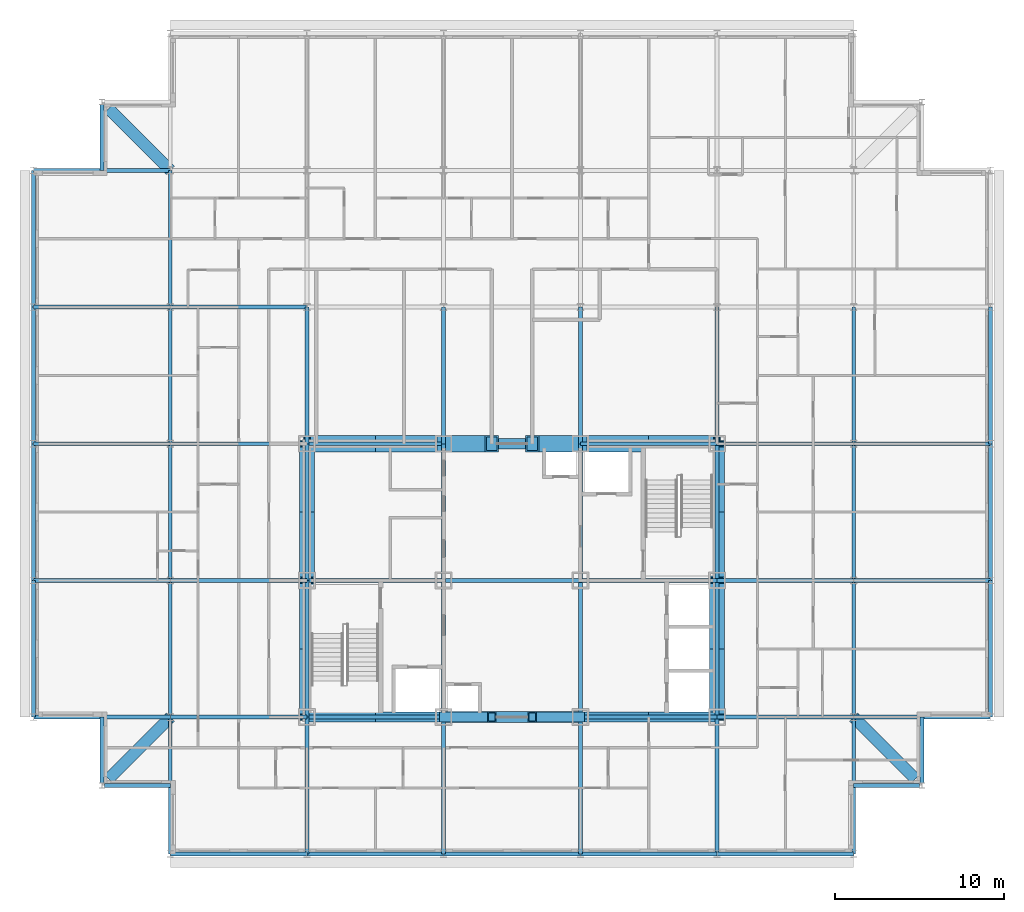
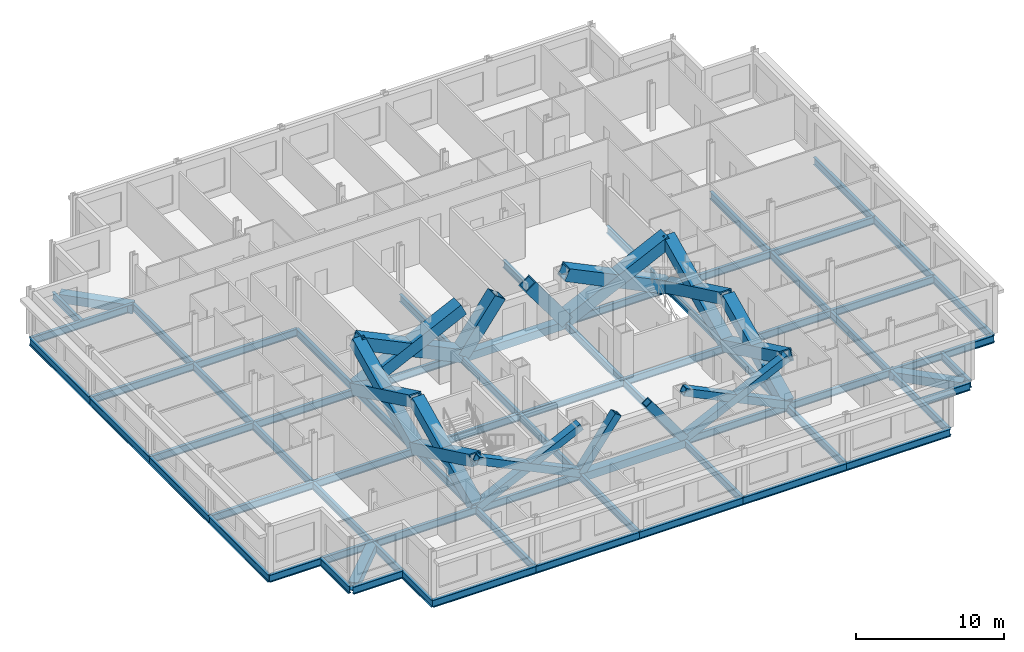
# One storey, part 5 of 15: 69 beams, 20 members.
"""IFC4 building model written with IfcOpenShell, lengths in metres."""

from ifc_helpers import new_model, si_unit, direction, frame, origin, origin_2d, place, context, subcontext, project, spatial, hollow_rectangle, i_section, extrude, material, material_profile, profile_set, type_object, element, save


model = new_model("IFC4")

# Units and contexts
model_context = context("Model", 3, precision=1e-05, world=origin(), true_north=direction((0.0, 1.0)))
body_context = subcontext(model_context, "Body", "Model", "MODEL_VIEW")
ifc_project = project(units=[si_unit("LENGTHUNIT", "METRE"), si_unit("AREAUNIT", "SQUARE_METRE"), si_unit("VOLUMEUNIT", "CUBIC_METRE"), si_unit("PLANEANGLEUNIT", "RADIAN"), si_unit("MASSUNIT", "GRAM", prefix="KILO")], contexts=[model_context])

# Site, building, storey
site_placement = place(None, origin())
site = spatial("IfcSite", under=ifc_project, at=site_placement, CompositionType="ELEMENT")
building_placement = place(site_placement, origin())
building = spatial("IfcBuilding", under=site, at=building_placement, Name="Kopane Lantern Tower", CompositionType="ELEMENT")
storey_placement = place(building_placement, frame((0.0, 0.0, 269.699951171875)))
storey = spatial("IfcBuildingStorey", under=building, at=storey_placement, Name="L69", CompositionType="ELEMENT", Elevation=269.699951171875)

# Members
ifc_material_1 = material(Name="Steel S355JR", Category="steel")
ifc_material_profile_1 = material_profile(ifc_material_1, hollow_rectangle(XDim=1.0, YDim=1.0, WallThickness=0.10009765625, at=origin_2d()), Name="BOX 1000x1000x100")
ifc_profile_set_1 = profile_set([ifc_material_profile_1], Name="Steel S355JR")
member_type_1 = type_object("IfcMemberType", Name="BRACE BOX 1000x1000x100", PredefinedType="BRACE", material=ifc_profile_set_1)
for number, where, z_axis, x_axis, name in (
    (1, (16.199951171875, 40.5, -0.2099609375), (0.901007959878, 0.0, 0.433802554437), (0.0, 1.0, 0.0), "Core brace L69"),
    (2, (24.300048828125, 40.5, -0.2099609375), (-0.901007959878, 0.0, 0.433802554437), (0.0, -1.0, 0.0), "Core brace L69"),
):
    element("IfcMember", number, at=place(storey_placement, frame(where, z_axis=z_axis, x_axis=x_axis)), inside=storey, type_object=member_type_1, Name=name, PredefinedType="BRACE", context=body_context, shape_type="SweptSolid", body=[
        extrude(hollow_rectangle(XDim=1.0, YDim=1.0, WallThickness=0.10009765625, at=origin_2d()), origin(), (0.0, 0.0, 1.0), 8.989990234375),
    ])
for number, where, z_axis, x_axis, name in (
    (3, (24.300048828125, 40.5, -0.2099609375), (0.590006451143, 0.0, 0.807398530845), (0.0, 1.0, 0.0), "Core brace L69"),
    (4, (32.39990234375, 40.5, -0.2099609375), (-0.590006451143, 0.0, 0.807398530845), (0.0, -1.0, 0.0), "Core brace L69"),
):
    element("IfcMember", number, at=place(storey_placement, frame(where, z_axis=z_axis, x_axis=x_axis)), inside=storey, type_object=member_type_1, Name=name, PredefinedType="BRACE", context=body_context, shape_type="SweptSolid", body=[
        extrude(hollow_rectangle(XDim=1.0, YDim=1.0, WallThickness=0.10009765625, at=origin_2d()), origin(), (0.0, 0.0, 1.0), 4.830322265625),
    ])
for number, where, z_axis, x_axis, name in (
    (5, (32.39990234375, 40.5, -0.2099609375), (0.901007959878, 0.0, 0.433802554437), (0.0, 1.0, 0.0), "Core brace L69"),
    (6, (40.5, 40.5, -0.2099609375), (-0.901007959878, 0.0, 0.433802554437), (0.0, -1.0, 0.0), "Core brace L69"),
):
    element("IfcMember", number, at=place(storey_placement, frame(where, z_axis=z_axis, x_axis=x_axis)), inside=storey, type_object=member_type_1, Name=name, PredefinedType="BRACE", context=body_context, shape_type="SweptSolid", body=[
        extrude(hollow_rectangle(XDim=1.0, YDim=1.0, WallThickness=0.10009765625, at=origin_2d()), origin(), (0.0, 0.0, 1.0), 8.989990234375),
    ])
ifc_material_2 = material(Name="Steel S355JR", Category="steel")
ifc_material_profile_2 = material_profile(ifc_material_2, hollow_rectangle(XDim=0.60009765625, YDim=0.60009765625, WallThickness=0.06005859375, at=origin_2d()), Name="BOX 600x600x60")
ifc_profile_set_2 = profile_set([ifc_material_profile_2], Name="Steel S355JR")
member_type_2 = type_object("IfcMemberType", Name="BRACE BOX 600x600x60", PredefinedType="BRACE", material=ifc_profile_set_2)
for number, where, z_axis, x_axis, name in (
    (7, (16.199951171875, 24.300048828125, -0.2099609375), (0.901007959878, 0.0, 0.433802554437), (0.0, 1.0, 0.0), "Core brace L69"),
    (8, (24.300048828125, 24.300048828125, -0.2099609375), (-0.901007959878, 0.0, 0.433802554437), (0.0, -1.0, 0.0), "Core brace L69"),
):
    element("IfcMember", number, at=place(storey_placement, frame(where, z_axis=z_axis, x_axis=x_axis)), inside=storey, type_object=member_type_2, Name=name, PredefinedType="BRACE", context=body_context, shape_type="SweptSolid", body=[
        extrude(hollow_rectangle(XDim=0.60009765625, YDim=0.60009765625, WallThickness=0.06005859375, at=origin_2d()), origin(), (0.0, 0.0, 1.0), 8.989990234375),
    ])
for number, where, z_axis, x_axis, name in (
    (9, (24.300048828125, 24.300048828125, -0.2099609375), (0.590006451143, 0.0, 0.807398530845), (0.0, 1.0, 0.0), "Core brace L69"),
    (10, (32.39990234375, 24.300048828125, -0.2099609375), (-0.590006451143, 0.0, 0.807398530845), (0.0, -1.0, 0.0), "Core brace L69"),
):
    element("IfcMember", number, at=place(storey_placement, frame(where, z_axis=z_axis, x_axis=x_axis)), inside=storey, type_object=member_type_2, Name=name, PredefinedType="BRACE", context=body_context, shape_type="SweptSolid", body=[
        extrude(hollow_rectangle(XDim=0.60009765625, YDim=0.60009765625, WallThickness=0.06005859375, at=origin_2d()), origin(), (0.0, 0.0, 1.0), 4.830322265625),
    ])
for number, where, z_axis, x_axis, name in (
    (11, (32.39990234375, 24.300048828125, -0.2099609375), (0.901007959878, 0.0, 0.433802554437), (0.0, 1.0, 0.0), "Core brace L69"),
    (12, (40.5, 24.300048828125, -0.2099609375), (-0.901007959878, 0.0, 0.433802554437), (0.0, -1.0, 0.0), "Core brace L69"),
):
    element("IfcMember", number, at=place(storey_placement, frame(where, z_axis=z_axis, x_axis=x_axis)), inside=storey, type_object=member_type_2, Name=name, PredefinedType="BRACE", context=body_context, shape_type="SweptSolid", body=[
        extrude(hollow_rectangle(XDim=0.60009765625, YDim=0.60009765625, WallThickness=0.06005859375, at=origin_2d()), origin(), (0.0, 0.0, 1.0), 8.989990234375),
    ])
ifc_material_3 = material(Name="Steel S355JR", Category="steel")
ifc_material_profile_3 = material_profile(ifc_material_3, hollow_rectangle(XDim=0.89990234375, YDim=0.89990234375, WallThickness=0.090087890625, at=origin_2d()), Name="BOX 900x900x90")
ifc_profile_set_3 = profile_set([ifc_material_profile_3], Name="Steel S355JR")
member_type_3 = type_object("IfcMemberType", Name="BRACE BOX 900x900x90", PredefinedType="BRACE", material=ifc_profile_set_3)
for number, where, z_axis, x_axis, name in (
    (13, (16.199951171875, 24.300048828125, -0.2099609375), (0.0, 0.9010028492, 0.433813169157), (-1.0, 0.0, 0.0), "Core brace L69"),
    (14, (16.199951171875, 32.39990234375, -0.2099609375), (0.0, -0.9010028492, 0.433813169157), (1.0, 0.0, 0.0), "Core brace L69"),
):
    element("IfcMember", number, at=place(storey_placement, frame(where, z_axis=z_axis, x_axis=x_axis)), inside=storey, type_object=member_type_3, Name=name, PredefinedType="BRACE", context=body_context, shape_type="SweptSolid", body=[
        extrude(hollow_rectangle(XDim=0.89990234375, YDim=0.89990234375, WallThickness=0.090087890625, at=origin_2d()), origin(), (0.0, 0.0, 1.0), 8.98974609375),
    ])
for number, where, z_axis, x_axis, name in (
    (15, (16.199951171875, 32.39990234375, -0.2099609375), (0.0, 0.901007959878, 0.433802554437), (-1.0, 0.0, 0.0), "Core brace L69"),
    (16, (16.199951171875, 40.5, -0.2099609375), (0.0, -0.901007959878, 0.433802554437), (1.0, 0.0, 0.0), "Core brace L69"),
):
    element("IfcMember", number, at=place(storey_placement, frame(where, z_axis=z_axis, x_axis=x_axis)), inside=storey, type_object=member_type_3, Name=name, PredefinedType="BRACE", context=body_context, shape_type="SweptSolid", body=[
        extrude(hollow_rectangle(XDim=0.89990234375, YDim=0.89990234375, WallThickness=0.090087890625, at=origin_2d()), origin(), (0.0, 0.0, 1.0), 8.989990234375),
    ])
for number, where, z_axis, x_axis, name in (
    (17, (40.5, 24.300048828125, -0.2099609375), (0.0, 0.9010028492, 0.433813169157), (-1.0, 0.0, 0.0), "Core brace L69"),
    (18, (40.5, 32.39990234375, -0.2099609375), (0.0, -0.9010028492, 0.433813169157), (1.0, 0.0, 0.0), "Core brace L69"),
):
    element("IfcMember", number, at=place(storey_placement, frame(where, z_axis=z_axis, x_axis=x_axis)), inside=storey, type_object=member_type_3, Name=name, PredefinedType="BRACE", context=body_context, shape_type="SweptSolid", body=[
        extrude(hollow_rectangle(XDim=0.89990234375, YDim=0.89990234375, WallThickness=0.090087890625, at=origin_2d()), origin(), (0.0, 0.0, 1.0), 8.98974609375),
    ])
for number, where, z_axis, x_axis, name in (
    (19, (40.5, 32.39990234375, -0.2099609375), (0.0, 0.901007959878, 0.433802554437), (-1.0, 0.0, 0.0), "Core brace L69"),
    (20, (40.5, 40.5, -0.2099609375), (0.0, -0.901007959878, 0.433802554437), (1.0, 0.0, 0.0), "Core brace L69"),
):
    element("IfcMember", number, at=place(storey_placement, frame(where, z_axis=z_axis, x_axis=x_axis)), inside=storey, type_object=member_type_3, Name=name, PredefinedType="BRACE", context=body_context, shape_type="SweptSolid", body=[
        extrude(hollow_rectangle(XDim=0.89990234375, YDim=0.89990234375, WallThickness=0.090087890625, at=origin_2d()), origin(), (0.0, 0.0, 1.0), 8.989990234375),
    ])

# Beams
ifc_material_4 = material(Name="Steel S355JR", Category="steel")
ifc_material_profile_4 = material_profile(ifc_material_4, i_section(OverallWidth=0.22900390625, OverallDepth=0.6123046875, WebThickness=0.011962890625, FlangeThickness=0.01953125, FilletRadius=0.0126953125, at=origin_2d()), Name="UB 610x229x125")
ifc_profile_set_4 = profile_set([ifc_material_profile_4], Name="Steel S355JR")
beam_type_1 = type_object("IfcBeamType", Name="CORE BEAM UB 610x229x125", PredefinedType="BEAM", material=ifc_profile_set_4)
beam_1_placement = place(storey_placement, frame((16.199951171875, 32.39990234375, -0.51611328125), z_axis=(1.0, 0.0, 0.0), x_axis=(0.0, 1.0, 0.0)))
element("IfcBeam", 21, at=beam_1_placement, inside=storey, type_object=beam_type_1, Name="Core Beam L69", PredefinedType="BEAM", context=body_context, shape_type="SweptSolid", body=[
    extrude(i_section(OverallWidth=0.22900390625, OverallDepth=0.6123046875, WebThickness=0.011962890625, FlangeThickness=0.01953125, FilletRadius=0.0126953125, at=origin_2d()), origin(), (0.0, 0.0, 1.0), 8.10009765625),
])
beam_2_placement = place(storey_placement, frame((24.300048828125, 24.300048828125, -0.51611328125), z_axis=(0.0, 1.0, 0.0), x_axis=(-1.0, 0.0, 0.0)))
element("IfcBeam", 22, at=beam_2_placement, inside=storey, type_object=beam_type_1, Name="Core Beam L69", PredefinedType="BEAM", context=body_context, shape_type="SweptSolid", body=[
    extrude(i_section(OverallWidth=0.22900390625, OverallDepth=0.6123046875, WebThickness=0.011962890625, FlangeThickness=0.01953125, FilletRadius=0.0126953125, at=origin_2d()), origin(), (0.0, 0.0, 1.0), 8.099853515625),
])
beam_3_placement = place(storey_placement, frame((24.300048828125, 32.39990234375, -0.51611328125), z_axis=(0.0, 1.0, 0.0), x_axis=(-1.0, 0.0, 0.0)))
element("IfcBeam", 23, at=beam_3_placement, inside=storey, type_object=beam_type_1, Name="Core Beam L69", PredefinedType="BEAM", context=body_context, shape_type="SweptSolid", body=[
    extrude(i_section(OverallWidth=0.22900390625, OverallDepth=0.6123046875, WebThickness=0.011962890625, FlangeThickness=0.01953125, FilletRadius=0.0126953125, at=origin_2d()), origin(), (0.0, 0.0, 1.0), 8.10009765625),
])
for number, where, z_axis, x_axis, name in (
    (24, (24.300048828125, 32.39990234375, -0.51611328125), (1.0, 0.0, 0.0), (0.0, 1.0, 0.0), "Core Beam L69"),
    (25, (32.39990234375, 24.300048828125, -0.51611328125), (0.0, 1.0, 0.0), (-1.0, 0.0, 0.0), "Core Beam L69"),
):
    element("IfcBeam", number, at=place(storey_placement, frame(where, z_axis=z_axis, x_axis=x_axis)), inside=storey, type_object=beam_type_1, Name=name, PredefinedType="BEAM", context=body_context, shape_type="SweptSolid", body=[
        extrude(i_section(OverallWidth=0.22900390625, OverallDepth=0.6123046875, WebThickness=0.011962890625, FlangeThickness=0.01953125, FilletRadius=0.0126953125, at=origin_2d()), origin(), (0.0, 0.0, 1.0), 8.099853515625),
    ])
for number, where, z_axis, x_axis, name in (
    (26, (32.39990234375, 32.39990234375, -0.51611328125), (0.0, 1.0, 0.0), (-1.0, 0.0, 0.0), "Core Beam L69"),
    (27, (32.39990234375, 32.39990234375, -0.51611328125), (1.0, 0.0, 0.0), (0.0, 1.0, 0.0), "Core Beam L69"),
):
    element("IfcBeam", number, at=place(storey_placement, frame(where, z_axis=z_axis, x_axis=x_axis)), inside=storey, type_object=beam_type_1, Name=name, PredefinedType="BEAM", context=body_context, shape_type="SweptSolid", body=[
        extrude(i_section(OverallWidth=0.22900390625, OverallDepth=0.6123046875, WebThickness=0.011962890625, FlangeThickness=0.01953125, FilletRadius=0.0126953125, at=origin_2d()), origin(), (0.0, 0.0, 1.0), 8.10009765625),
    ])
ifc_material_5 = material(Name="Steel S355JR", Category="steel")
ifc_material_profile_5 = material_profile(ifc_material_5, hollow_rectangle(XDim=0.699951171875, YDim=0.699951171875, WallThickness=0.06005859375, at=origin_2d()), Name="BOX 700x700x60")
ifc_profile_set_5 = profile_set([ifc_material_profile_5], Name="Steel S355JR")
beam_type_2 = type_object("IfcBeamType", Name="CORNER TIE BEAM BOX 700x700x60", PredefinedType="BEAM", material=ifc_profile_set_5)
for number, where, z_axis, x_axis, name in (
    (28, (4.447509765625, 20.6474609375, -0.56005859375), (0.707106781187, 0.707106781187, 0.0), (-0.707106781187, 0.707106781187, 0.0), "Corner Tie Beam L69"),
    (29, (4.447509765625, 60.3525390625, -0.56005859375), (0.707106781187, -0.707106781187, 0.0), (0.707106781187, 0.707106781187, 0.0), "Corner Tie Beam L69"),
):
    element("IfcBeam", number, at=place(storey_placement, frame(where, z_axis=z_axis, x_axis=x_axis)), inside=storey, type_object=beam_type_2, Name=name, PredefinedType="BEAM", context=body_context, shape_type="SweptSolid", body=[
        extrude(hollow_rectangle(XDim=0.699951171875, YDim=0.699951171875, WallThickness=0.06005859375, at=origin_2d()), origin(), (0.0, 0.0, 1.0), 5.16552734375),
    ])
beam_4_placement = place(storey_placement, frame((52.25244140625, 20.6474609375, -0.56005859375), z_axis=(-0.707083148333, 0.70713041325, 0.0), x_axis=(-0.70713041325, -0.707083148333, 0.0)))
element("IfcBeam", 30, at=beam_4_placement, inside=storey, type_object=beam_type_2, Name="Corner Tie Beam L69", PredefinedType="BEAM", context=body_context, shape_type="SweptSolid", body=[
    extrude(hollow_rectangle(XDim=0.699951171875, YDim=0.699951171875, WallThickness=0.06005859375, at=origin_2d()), origin(), (0.0, 0.0, 1.0), 5.165283203125),
])
ifc_material_6 = material(Name="Steel S355JR", Category="steel")
ifc_material_profile_6 = material_profile(ifc_material_6, i_section(OverallWidth=0.22900390625, OverallDepth=0.6123046875, WebThickness=0.011962890625, FlangeThickness=0.01953125, FilletRadius=0.0126953125, at=origin_2d()), Name="UB 610x229x125")
ifc_profile_set_6 = profile_set([ifc_material_profile_6], Name="Steel S355JR")
beam_type_3 = type_object("IfcBeamType", Name="EDGE BEAM UB 610x229x125", PredefinedType="BEAM", material=ifc_profile_set_6)
beam_5_placement = place(storey_placement, frame((4.050048828125, 20.40380859375, -0.51611328125), z_axis=(0.0, 1.0, 0.0), x_axis=(-1.0, 0.0, 0.0)))
element("IfcBeam", 31, at=beam_5_placement, inside=storey, type_object=beam_type_3, Name="Edge Beam L69", PredefinedType="BEAM", context=body_context, shape_type="SweptSolid", body=[
    extrude(i_section(OverallWidth=0.22900390625, OverallDepth=0.6123046875, WebThickness=0.011962890625, FlangeThickness=0.01953125, FilletRadius=0.0126953125, at=origin_2d()), origin(), (0.0, 0.0, 1.0), 3.896240234375),
])
beam_6_placement = place(storey_placement, frame((4.20361328125, 20.25, -0.51611328125), z_axis=(1.0, 0.0, 0.0), x_axis=(0.0, 1.0, 0.0)))
element("IfcBeam", 32, at=beam_6_placement, inside=storey, type_object=beam_type_3, Name="Edge Beam L69", PredefinedType="BEAM", context=body_context, shape_type="SweptSolid", body=[
    extrude(i_section(OverallWidth=0.22900390625, OverallDepth=0.6123046875, WebThickness=0.011962890625, FlangeThickness=0.01953125, FilletRadius=0.0126953125, at=origin_2d()), origin(), (0.0, 0.0, 1.0), 3.896484375),
])
for number, where, z_axis, x_axis, name in (
    (33, (4.050048828125, 60.59619140625, -0.51611328125), (0.0, -1.0, 0.0), (1.0, 0.0, 0.0), "Edge Beam L69"),
    (34, (52.496337890625, 20.25, -0.51611328125), (-1.0, 0.0, 0.0), (0.0, -1.0, 0.0), "Edge Beam L69"),
    (35, (52.64990234375, 20.40380859375, -0.51611328125), (0.0, 1.0, 0.0), (-1.0, 0.0, 0.0), "Edge Beam L69"),
):
    element("IfcBeam", number, at=place(storey_placement, frame(where, z_axis=z_axis, x_axis=x_axis)), inside=storey, type_object=beam_type_3, Name=name, PredefinedType="BEAM", context=body_context, shape_type="SweptSolid", body=[
        extrude(i_section(OverallWidth=0.22900390625, OverallDepth=0.6123046875, WebThickness=0.011962890625, FlangeThickness=0.01953125, FilletRadius=0.0126953125, at=origin_2d()), origin(), (0.0, 0.0, 1.0), 3.896240234375),
    ])
ifc_material_7 = material(Name="Steel S355JR", Category="steel")
ifc_material_profile_7 = material_profile(ifc_material_7, i_section(OverallWidth=0.22900390625, OverallDepth=0.6123046875, WebThickness=0.011962890625, FlangeThickness=0.01953125, FilletRadius=0.0126953125, at=origin_2d()), Name="UB 610x229x125")
ifc_profile_set_7 = profile_set([ifc_material_profile_7], Name="Steel S355JR")
beam_type_4 = type_object("IfcBeamType", Name="GIRDER UB 610x229x125", PredefinedType="BEAM", material=ifc_profile_set_7)
beam_7_placement = place(storey_placement, frame((0.0, 24.300048828125, -0.51611328125), z_axis=(0.0, 1.0, 0.0), x_axis=(-1.0, 0.0, 0.0)))
element("IfcBeam", 36, at=beam_7_placement, inside=storey, type_object=beam_type_4, Name="Girder L69", PredefinedType="BEAM", context=body_context, shape_type="SweptSolid", body=[
    extrude(i_section(OverallWidth=0.22900390625, OverallDepth=0.6123046875, WebThickness=0.011962890625, FlangeThickness=0.01953125, FilletRadius=0.0126953125, at=origin_2d()), origin(), (0.0, 0.0, 1.0), 8.099853515625),
])
for number, where, z_axis, x_axis, name in (
    (37, (0.0, 24.300048828125, -0.51611328125), (1.0, 0.0, 0.0), (0.0, 1.0, 0.0), "Girder L69"),
    (38, (0.0, 32.39990234375, -0.51611328125), (0.0, 1.0, 0.0), (-1.0, 0.0, 0.0), "Girder L69"),
    (39, (0.0, 32.39990234375, -0.51611328125), (1.0, 0.0, 0.0), (0.0, 1.0, 0.0), "Girder L69"),
    (40, (0.0, 40.5, -0.51611328125), (0.0, 1.0, 0.0), (-1.0, 0.0, 0.0), "Girder L69"),
    (41, (0.0, 40.5, -0.51611328125), (1.0, 0.0, 0.0), (0.0, 1.0, 0.0), "Girder L69"),
):
    element("IfcBeam", number, at=place(storey_placement, frame(where, z_axis=z_axis, x_axis=x_axis)), inside=storey, type_object=beam_type_4, Name=name, PredefinedType="BEAM", context=body_context, shape_type="SweptSolid", body=[
        extrude(i_section(OverallWidth=0.22900390625, OverallDepth=0.6123046875, WebThickness=0.011962890625, FlangeThickness=0.01953125, FilletRadius=0.0126953125, at=origin_2d()), origin(), (0.0, 0.0, 1.0), 8.10009765625),
    ])
beam_8_placement = place(storey_placement, frame((0.0, 48.60009765625, -0.51611328125), z_axis=(0.0, 1.0, 0.0), x_axis=(-1.0, 0.0, 0.0)))
element("IfcBeam", 42, at=beam_8_placement, inside=storey, type_object=beam_type_4, Name="Girder L69", PredefinedType="BEAM", context=body_context, shape_type="SweptSolid", body=[
    extrude(i_section(OverallWidth=0.22900390625, OverallDepth=0.6123046875, WebThickness=0.011962890625, FlangeThickness=0.01953125, FilletRadius=0.0126953125, at=origin_2d()), origin(), (0.0, 0.0, 1.0), 8.099853515625),
])
for number, where, z_axis, x_axis, name in (
    (43, (0.0, 48.60009765625, -0.51611328125), (1.0, 0.0, 0.0), (0.0, 1.0, 0.0), "Girder L69"),
    (44, (0.0, 56.699951171875, -0.51611328125), (1.0, 0.0, 0.0), (0.0, 1.0, 0.0), "Girder L69"),
    (45, (8.10009765625, 16.199951171875, -0.51611328125), (0.0, 1.0, 0.0), (-1.0, 0.0, 0.0), "Girder L69"),
):
    element("IfcBeam", number, at=place(storey_placement, frame(where, z_axis=z_axis, x_axis=x_axis)), inside=storey, type_object=beam_type_4, Name=name, PredefinedType="BEAM", context=body_context, shape_type="SweptSolid", body=[
        extrude(i_section(OverallWidth=0.22900390625, OverallDepth=0.6123046875, WebThickness=0.011962890625, FlangeThickness=0.01953125, FilletRadius=0.0126953125, at=origin_2d()), origin(), (0.0, 0.0, 1.0), 8.10009765625),
    ])
for number, where, z_axis, x_axis, name in (
    (46, (8.10009765625, 16.199951171875, -0.51611328125), (1.0, 0.0, 0.0), (0.0, 1.0, 0.0), "Girder L69"),
    (47, (8.10009765625, 24.300048828125, -0.51611328125), (0.0, 1.0, 0.0), (-1.0, 0.0, 0.0), "Girder L69"),
    (48, (8.10009765625, 24.300048828125, -0.51611328125), (1.0, 0.0, 0.0), (0.0, 1.0, 0.0), "Girder L69"),
):
    element("IfcBeam", number, at=place(storey_placement, frame(where, z_axis=z_axis, x_axis=x_axis)), inside=storey, type_object=beam_type_4, Name=name, PredefinedType="BEAM", context=body_context, shape_type="SweptSolid", body=[
        extrude(i_section(OverallWidth=0.22900390625, OverallDepth=0.6123046875, WebThickness=0.011962890625, FlangeThickness=0.01953125, FilletRadius=0.0126953125, at=origin_2d()), origin(), (0.0, 0.0, 1.0), 8.099853515625),
    ])
beam_9_placement = place(storey_placement, frame((8.10009765625, 32.39990234375, -0.51611328125), z_axis=(0.0, 1.0, 0.0), x_axis=(-1.0, 0.0, 0.0)))
element("IfcBeam", 49, at=beam_9_placement, inside=storey, type_object=beam_type_4, Name="Girder L69", PredefinedType="BEAM", context=body_context, shape_type="SweptSolid", body=[
    extrude(i_section(OverallWidth=0.22900390625, OverallDepth=0.6123046875, WebThickness=0.011962890625, FlangeThickness=0.01953125, FilletRadius=0.0126953125, at=origin_2d()), origin(), (0.0, 0.0, 1.0), 8.10009765625),
])
beam_10_placement = place(storey_placement, frame((8.10009765625, 32.39990234375, -0.51611328125), z_axis=(1.0, 0.0, 0.0), x_axis=(0.0, 1.0, 0.0)))
element("IfcBeam", 50, at=beam_10_placement, inside=storey, type_object=beam_type_4, Name="Girder L69", PredefinedType="BEAM", context=body_context, shape_type="SweptSolid", body=[
    extrude(i_section(OverallWidth=0.22900390625, OverallDepth=0.6123046875, WebThickness=0.011962890625, FlangeThickness=0.01953125, FilletRadius=0.0126953125, at=origin_2d()), origin(), (0.0, 0.0, 1.0), 8.099853515625),
])
beam_11_placement = place(storey_placement, frame((8.10009765625, 40.5, -0.51611328125), z_axis=(0.0, 1.0, 0.0), x_axis=(-1.0, 0.0, 0.0)))
element("IfcBeam", 51, at=beam_11_placement, inside=storey, type_object=beam_type_4, Name="Girder L69", PredefinedType="BEAM", context=body_context, shape_type="SweptSolid", body=[
    extrude(i_section(OverallWidth=0.22900390625, OverallDepth=0.6123046875, WebThickness=0.011962890625, FlangeThickness=0.01953125, FilletRadius=0.0126953125, at=origin_2d()), origin(), (0.0, 0.0, 1.0), 8.10009765625),
])
for number, where, z_axis, x_axis, name in (
    (52, (8.10009765625, 40.5, -0.51611328125), (1.0, 0.0, 0.0), (0.0, 1.0, 0.0), "Girder L69"),
    (53, (8.10009765625, 48.60009765625, -0.51611328125), (0.0, 1.0, 0.0), (-1.0, 0.0, 0.0), "Girder L69"),
    (54, (8.10009765625, 48.60009765625, -0.51611328125), (1.0, 0.0, 0.0), (0.0, 1.0, 0.0), "Girder L69"),
):
    element("IfcBeam", number, at=place(storey_placement, frame(where, z_axis=z_axis, x_axis=x_axis)), inside=storey, type_object=beam_type_4, Name=name, PredefinedType="BEAM", context=body_context, shape_type="SweptSolid", body=[
        extrude(i_section(OverallWidth=0.22900390625, OverallDepth=0.6123046875, WebThickness=0.011962890625, FlangeThickness=0.01953125, FilletRadius=0.0126953125, at=origin_2d()), origin(), (0.0, 0.0, 1.0), 8.099853515625),
    ])
for number, where, z_axis, x_axis, name in (
    (55, (16.199951171875, 16.199951171875, -0.51611328125), (0.0, 1.0, 0.0), (-1.0, 0.0, 0.0), "Girder L69"),
    (56, (16.199951171875, 16.199951171875, -0.51611328125), (1.0, 0.0, 0.0), (0.0, 1.0, 0.0), "Girder L69"),
):
    element("IfcBeam", number, at=place(storey_placement, frame(where, z_axis=z_axis, x_axis=x_axis)), inside=storey, type_object=beam_type_4, Name=name, PredefinedType="BEAM", context=body_context, shape_type="SweptSolid", body=[
        extrude(i_section(OverallWidth=0.22900390625, OverallDepth=0.6123046875, WebThickness=0.011962890625, FlangeThickness=0.01953125, FilletRadius=0.0126953125, at=origin_2d()), origin(), (0.0, 0.0, 1.0), 8.10009765625),
    ])
beam_12_placement = place(storey_placement, frame((16.199951171875, 24.300048828125, -0.51611328125), z_axis=(0.0, 1.0, 0.0), x_axis=(-1.0, 0.0, 0.0)))
element("IfcBeam", 57, at=beam_12_placement, inside=storey, type_object=beam_type_4, Name="Girder L69", PredefinedType="BEAM", context=body_context, shape_type="SweptSolid", body=[
    extrude(i_section(OverallWidth=0.22900390625, OverallDepth=0.6123046875, WebThickness=0.011962890625, FlangeThickness=0.01953125, FilletRadius=0.0126953125, at=origin_2d()), origin(), (0.0, 0.0, 1.0), 8.099853515625),
])
for number, where, z_axis, x_axis, name in (
    (58, (16.199951171875, 24.300048828125, -0.51611328125), (1.0, 0.0, 0.0), (0.0, 1.0, 0.0), "Girder L69"),
    (59, (16.199951171875, 32.39990234375, -0.51611328125), (0.0, 1.0, 0.0), (-1.0, 0.0, 0.0), "Girder L69"),
    (60, (16.199951171875, 40.5, -0.51611328125), (0.0, 1.0, 0.0), (-1.0, 0.0, 0.0), "Girder L69"),
    (61, (16.199951171875, 40.5, -0.51611328125), (1.0, 0.0, 0.0), (0.0, 1.0, 0.0), "Girder L69"),
    (62, (24.300048828125, 16.199951171875, -0.51611328125), (0.0, 1.0, 0.0), (-1.0, 0.0, 0.0), "Girder L69"),
):
    element("IfcBeam", number, at=place(storey_placement, frame(where, z_axis=z_axis, x_axis=x_axis)), inside=storey, type_object=beam_type_4, Name=name, PredefinedType="BEAM", context=body_context, shape_type="SweptSolid", body=[
        extrude(i_section(OverallWidth=0.22900390625, OverallDepth=0.6123046875, WebThickness=0.011962890625, FlangeThickness=0.01953125, FilletRadius=0.0126953125, at=origin_2d()), origin(), (0.0, 0.0, 1.0), 8.10009765625),
    ])
beam_13_placement = place(storey_placement, frame((24.300048828125, 16.199951171875, -0.51611328125), z_axis=(1.0, 0.0, 0.0), x_axis=(0.0, 1.0, 0.0)))
element("IfcBeam", 63, at=beam_13_placement, inside=storey, type_object=beam_type_4, Name="Girder L69", PredefinedType="BEAM", context=body_context, shape_type="SweptSolid", body=[
    extrude(i_section(OverallWidth=0.22900390625, OverallDepth=0.6123046875, WebThickness=0.011962890625, FlangeThickness=0.01953125, FilletRadius=0.0126953125, at=origin_2d()), origin(), (0.0, 0.0, 1.0), 8.099853515625),
])
for number, where, z_axis, x_axis, name in (
    (64, (24.300048828125, 40.5, -0.51611328125), (0.0, 1.0, 0.0), (-1.0, 0.0, 0.0), "Girder L69"),
    (65, (32.39990234375, 16.199951171875, -0.51611328125), (0.0, 1.0, 0.0), (-1.0, 0.0, 0.0), "Girder L69"),
    (66, (32.39990234375, 16.199951171875, -0.51611328125), (1.0, 0.0, 0.0), (0.0, 1.0, 0.0), "Girder L69"),
    (67, (32.39990234375, 24.300048828125, -0.51611328125), (1.0, 0.0, 0.0), (0.0, 1.0, 0.0), "Girder L69"),
    (68, (32.39990234375, 40.5, -0.51611328125), (0.0, 1.0, 0.0), (-1.0, 0.0, 0.0), "Girder L69"),
    (69, (32.39990234375, 40.5, -0.51611328125), (1.0, 0.0, 0.0), (0.0, 1.0, 0.0), "Girder L69"),
    (70, (40.5, 16.199951171875, -0.51611328125), (0.0, 1.0, 0.0), (-1.0, 0.0, 0.0), "Girder L69"),
    (71, (40.5, 16.199951171875, -0.51611328125), (1.0, 0.0, 0.0), (0.0, 1.0, 0.0), "Girder L69"),
):
    element("IfcBeam", number, at=place(storey_placement, frame(where, z_axis=z_axis, x_axis=x_axis)), inside=storey, type_object=beam_type_4, Name=name, PredefinedType="BEAM", context=body_context, shape_type="SweptSolid", body=[
        extrude(i_section(OverallWidth=0.22900390625, OverallDepth=0.6123046875, WebThickness=0.011962890625, FlangeThickness=0.01953125, FilletRadius=0.0126953125, at=origin_2d()), origin(), (0.0, 0.0, 1.0), 8.10009765625),
    ])
beam_14_placement = place(storey_placement, frame((40.5, 24.300048828125, -0.51611328125), z_axis=(0.0, 1.0, 0.0), x_axis=(-1.0, 0.0, 0.0)))
element("IfcBeam", 72, at=beam_14_placement, inside=storey, type_object=beam_type_4, Name="Girder L69", PredefinedType="BEAM", context=body_context, shape_type="SweptSolid", body=[
    extrude(i_section(OverallWidth=0.22900390625, OverallDepth=0.6123046875, WebThickness=0.011962890625, FlangeThickness=0.01953125, FilletRadius=0.0126953125, at=origin_2d()), origin(), (0.0, 0.0, 1.0), 8.099853515625),
])
for number, where, z_axis, x_axis, name in (
    (73, (40.5, 24.300048828125, -0.51611328125), (1.0, 0.0, 0.0), (0.0, 1.0, 0.0), "Girder L69"),
    (74, (40.5, 32.39990234375, -0.51611328125), (0.0, 1.0, 0.0), (-1.0, 0.0, 0.0), "Girder L69"),
    (75, (40.5, 32.39990234375, -0.51611328125), (1.0, 0.0, 0.0), (0.0, 1.0, 0.0), "Girder L69"),
    (76, (40.5, 40.5, -0.51611328125), (0.0, 1.0, 0.0), (-1.0, 0.0, 0.0), "Girder L69"),
    (77, (40.5, 40.5, -0.51611328125), (1.0, 0.0, 0.0), (0.0, 1.0, 0.0), "Girder L69"),
    (78, (48.60009765625, 16.199951171875, -0.51611328125), (0.0, 1.0, 0.0), (-1.0, 0.0, 0.0), "Girder L69"),
):
    element("IfcBeam", number, at=place(storey_placement, frame(where, z_axis=z_axis, x_axis=x_axis)), inside=storey, type_object=beam_type_4, Name=name, PredefinedType="BEAM", context=body_context, shape_type="SweptSolid", body=[
        extrude(i_section(OverallWidth=0.22900390625, OverallDepth=0.6123046875, WebThickness=0.011962890625, FlangeThickness=0.01953125, FilletRadius=0.0126953125, at=origin_2d()), origin(), (0.0, 0.0, 1.0), 8.10009765625),
    ])
for number, where, z_axis, x_axis, name in (
    (79, (48.60009765625, 24.300048828125, -0.51611328125), (0.0, 1.0, 0.0), (-1.0, 0.0, 0.0), "Girder L69"),
    (80, (48.60009765625, 24.300048828125, -0.51611328125), (1.0, 0.0, 0.0), (0.0, 1.0, 0.0), "Girder L69"),
):
    element("IfcBeam", number, at=place(storey_placement, frame(where, z_axis=z_axis, x_axis=x_axis)), inside=storey, type_object=beam_type_4, Name=name, PredefinedType="BEAM", context=body_context, shape_type="SweptSolid", body=[
        extrude(i_section(OverallWidth=0.22900390625, OverallDepth=0.6123046875, WebThickness=0.011962890625, FlangeThickness=0.01953125, FilletRadius=0.0126953125, at=origin_2d()), origin(), (0.0, 0.0, 1.0), 8.099853515625),
    ])
beam_15_placement = place(storey_placement, frame((48.60009765625, 32.39990234375, -0.51611328125), z_axis=(0.0, 1.0, 0.0), x_axis=(-1.0, 0.0, 0.0)))
element("IfcBeam", 81, at=beam_15_placement, inside=storey, type_object=beam_type_4, Name="Girder L69", PredefinedType="BEAM", context=body_context, shape_type="SweptSolid", body=[
    extrude(i_section(OverallWidth=0.22900390625, OverallDepth=0.6123046875, WebThickness=0.011962890625, FlangeThickness=0.01953125, FilletRadius=0.0126953125, at=origin_2d()), origin(), (0.0, 0.0, 1.0), 8.10009765625),
])
beam_16_placement = place(storey_placement, frame((48.60009765625, 32.39990234375, -0.51611328125), z_axis=(1.0, 0.0, 0.0), x_axis=(0.0, 1.0, 0.0)))
element("IfcBeam", 82, at=beam_16_placement, inside=storey, type_object=beam_type_4, Name="Girder L69", PredefinedType="BEAM", context=body_context, shape_type="SweptSolid", body=[
    extrude(i_section(OverallWidth=0.22900390625, OverallDepth=0.6123046875, WebThickness=0.011962890625, FlangeThickness=0.01953125, FilletRadius=0.0126953125, at=origin_2d()), origin(), (0.0, 0.0, 1.0), 8.099853515625),
])
beam_17_placement = place(storey_placement, frame((48.60009765625, 40.5, -0.51611328125), z_axis=(0.0, 1.0, 0.0), x_axis=(-1.0, 0.0, 0.0)))
element("IfcBeam", 83, at=beam_17_placement, inside=storey, type_object=beam_type_4, Name="Girder L69", PredefinedType="BEAM", context=body_context, shape_type="SweptSolid", body=[
    extrude(i_section(OverallWidth=0.22900390625, OverallDepth=0.6123046875, WebThickness=0.011962890625, FlangeThickness=0.01953125, FilletRadius=0.0126953125, at=origin_2d()), origin(), (0.0, 0.0, 1.0), 8.10009765625),
])
for number, where, z_axis, x_axis, name in (
    (84, (48.60009765625, 40.5, -0.51611328125), (1.0, 0.0, 0.0), (0.0, 1.0, 0.0), "Girder L69"),
    (85, (56.699951171875, 24.300048828125, -0.51611328125), (0.0, 1.0, 0.0), (-1.0, 0.0, 0.0), "Girder L69"),
):
    element("IfcBeam", number, at=place(storey_placement, frame(where, z_axis=z_axis, x_axis=x_axis)), inside=storey, type_object=beam_type_4, Name=name, PredefinedType="BEAM", context=body_context, shape_type="SweptSolid", body=[
        extrude(i_section(OverallWidth=0.22900390625, OverallDepth=0.6123046875, WebThickness=0.011962890625, FlangeThickness=0.01953125, FilletRadius=0.0126953125, at=origin_2d()), origin(), (0.0, 0.0, 1.0), 8.099853515625),
    ])
for number, where, z_axis, x_axis, name in (
    (86, (56.699951171875, 32.39990234375, -0.51611328125), (0.0, 1.0, 0.0), (-1.0, 0.0, 0.0), "Girder L69"),
    (87, (56.699951171875, 40.5, -0.51611328125), (0.0, 1.0, 0.0), (-1.0, 0.0, 0.0), "Girder L69"),
):
    element("IfcBeam", number, at=place(storey_placement, frame(where, z_axis=z_axis, x_axis=x_axis)), inside=storey, type_object=beam_type_4, Name=name, PredefinedType="BEAM", context=body_context, shape_type="SweptSolid", body=[
        extrude(i_section(OverallWidth=0.22900390625, OverallDepth=0.6123046875, WebThickness=0.011962890625, FlangeThickness=0.01953125, FilletRadius=0.0126953125, at=origin_2d()), origin(), (0.0, 0.0, 1.0), 8.10009765625),
    ])
ifc_material_8 = material(Name="Steel S355JR", Category="steel")
ifc_material_profile_8 = material_profile(ifc_material_8, hollow_rectangle(XDim=0.64990234375, YDim=0.64990234375, WallThickness=0.070068359375, at=origin_2d()), Name="BOX 650x650x70")
ifc_profile_set_8 = profile_set([ifc_material_profile_8], Name="Steel S355JR")
beam_type_5 = type_object("IfcBeamType", Name="LINK BEAM BOX 650x650x70", PredefinedType="BEAM", material=ifc_profile_set_8)
for number, where, z_axis, x_axis, name in (
    (88, (24.300048828125, 24.300048828125, -0.534912109375), (1.0, 0.0, 0.0), (0.0, 1.0, 0.0), "Link Beam L69"),
    (89, (24.300048828125, 40.5, -0.534912109375), (1.0, 0.0, 0.0), (0.0, 1.0, 0.0), "Link Beam L69"),
):
    element("IfcBeam", number, at=place(storey_placement, frame(where, z_axis=z_axis, x_axis=x_axis)), inside=storey, type_object=beam_type_5, Name=name, PredefinedType="BEAM", context=body_context, shape_type="SweptSolid", body=[
        extrude(hollow_rectangle(XDim=0.64990234375, YDim=0.64990234375, WallThickness=0.070068359375, at=origin_2d()), origin(), (0.0, 0.0, 1.0), 8.099853515625),
    ])

save(model, "model.ifc")
